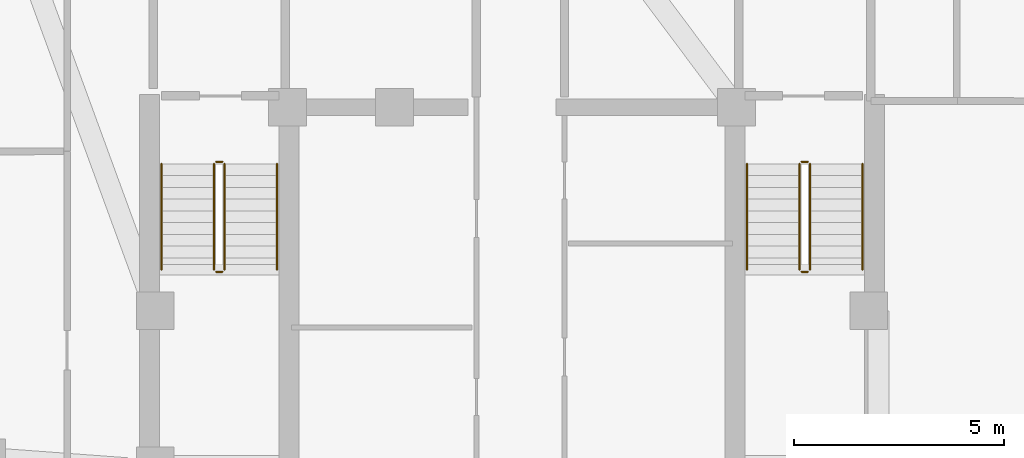
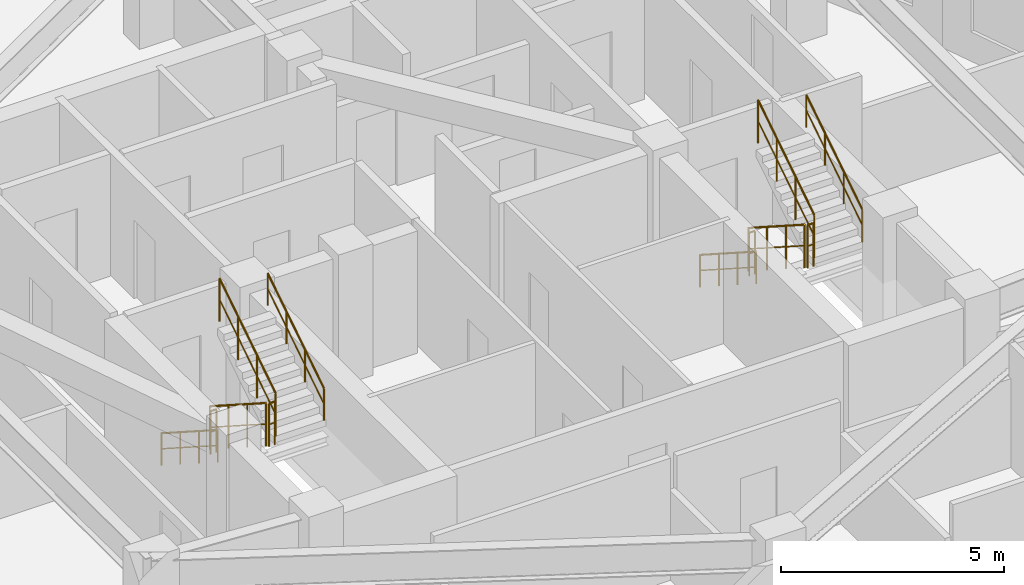
# One storey, part 8 of 8: 12 railings.
"""IFC4 building model written with IfcOpenShell, lengths in metres."""

from ifc_helpers import new_model, si_unit, direction, frame, origin, origin_2d, place, context, subcontext, project, spatial, circle, extrude, material, type_object, element, save


model = new_model("IFC4")

# Units and contexts
model_context = context("Model", 3, precision=1e-05, world=origin(), true_north=direction((0.0, 1.0)))
body_context = subcontext(model_context, "Body", "Model", "MODEL_VIEW")
ifc_project = project(units=[si_unit("LENGTHUNIT", "METRE"), si_unit("AREAUNIT", "SQUARE_METRE"), si_unit("VOLUMEUNIT", "CUBIC_METRE"), si_unit("PLANEANGLEUNIT", "RADIAN"), si_unit("MASSUNIT", "GRAM", prefix="KILO")], contexts=[model_context])

# Site, building, storey
site_placement = place(None, origin())
site = spatial("IfcSite", under=ifc_project, at=site_placement, CompositionType="ELEMENT")
building_placement = place(site_placement, origin())
building = spatial("IfcBuilding", under=site, at=building_placement, Name="Miruveldt Soraemaru", CompositionType="ELEMENT")
storey_placement = place(building_placement, frame((0.0, 0.0, 237.60009765625)))
storey = spatial("IfcBuildingStorey", under=building, at=storey_placement, Name="L65", CompositionType="ELEMENT", Elevation=237.60009765625)

# Railings
ifc_material = material(Name="Steel S355 (355 MPa)", Category="steel")
railing_type_1 = type_object("IfcRailingType", Name="RAIL-HR-900", PredefinedType="HANDRAIL", material=ifc_material)
railing_1_placement = place(storey_placement, frame((35.64990234375, 42.699951171875, 0.179931640625)))
element("IfcRailing", 1, at=railing_1_placement, inside=storey, type_object=railing_type_1, Name="L65 ST-1 stair handrail 1", PredefinedType="HANDRAIL", context=body_context, shape_type="SweptSolid", body=[
    extrude(circle(Radius=0.02392578125, at=origin_2d()), frame((0.0, 0.0, 0.8759765625), z_axis=(0.0, -0.841199657755, 0.540724639528), x_axis=(1.0, 0.0, 0.0)), (0.0, 0.0, 1.0), 2.995849609375),
    extrude(circle(Radius=0.01611328125, at=origin_2d()), frame((0.0, 0.0, 0.449951171875), z_axis=(0.0, -0.841199657755, 0.540724639528), x_axis=(1.0, 0.0, 0.0)), (0.0, 0.0, 1.0), 2.995849609375),
    extrude(circle(Radius=0.02099609375, at=origin_2d()), origin(), (0.0, 0.0, 1.0), 0.851806640625),
    extrude(circle(Radius=0.02099609375, at=origin_2d()), frame((0.0, -0.840087890625, 0.5400390625)), (0.0, 0.0, 1.0), 0.851806640625),
    extrude(circle(Radius=0.02099609375, at=origin_2d()), frame((0.0, -1.679931640625, 1.079833984375)), (0.0, 0.0, 1.0), 0.851806640625),
    extrude(circle(Radius=0.02099609375, at=origin_2d()), frame((0.0, -2.52001953125, 1.619873046875)), (0.0, 0.0, 1.0), 0.851806640625),
])
railing_2_placement = place(storey_placement, frame((38.39990234375, 40.179931640625, 1.97998046875)))
element("IfcRailing", 2, at=railing_2_placement, inside=storey, type_object=railing_type_1, Name="L65 ST-1 stair handrail 2", PredefinedType="HANDRAIL", context=body_context, shape_type="SweptSolid", body=[
    extrude(circle(Radius=0.02392578125, at=origin_2d()), frame((0.0, 0.0, 0.8759765625), z_axis=(0.0, 0.841199657755, 0.540724639528), x_axis=(-1.0, 0.0, 0.0)), (0.0, 0.0, 1.0), 2.995849609375),
    extrude(circle(Radius=0.01611328125, at=origin_2d()), frame((0.0, 0.0, 0.449951171875), z_axis=(0.0, 0.841199657755, 0.540724639528), x_axis=(-1.0, 0.0, 0.0)), (0.0, 0.0, 1.0), 2.995849609375),
    extrude(circle(Radius=0.02099609375, at=origin_2d()), origin(), (0.0, 0.0, 1.0), 0.851806640625),
    extrude(circle(Radius=0.02099609375, at=origin_2d()), frame((0.0, 0.840087890625, 0.5400390625)), (0.0, 0.0, 1.0), 0.851806640625),
    extrude(circle(Radius=0.02099609375, at=origin_2d()), frame((0.0, 1.679931640625, 1.079833984375)), (0.0, 0.0, 1.0), 0.851806640625),
    extrude(circle(Radius=0.02099609375, at=origin_2d()), frame((0.0, 2.52001953125, 1.619873046875)), (0.0, 0.0, 1.0), 0.851806640625),
])
railing_3_placement = place(storey_placement, frame((49.60009765625, 42.699951171875, 0.179931640625)))
element("IfcRailing", 3, at=railing_3_placement, inside=storey, type_object=railing_type_1, Name="L65 ST-2 stair handrail 1", PredefinedType="HANDRAIL", context=body_context, shape_type="SweptSolid", body=[
    extrude(circle(Radius=0.02392578125, at=origin_2d()), frame((0.0, 0.0, 0.8759765625), z_axis=(0.0, -0.841199657755, 0.540724639528), x_axis=(1.0, 0.0, 0.0)), (0.0, 0.0, 1.0), 2.995849609375),
    extrude(circle(Radius=0.01611328125, at=origin_2d()), frame((0.0, 0.0, 0.449951171875), z_axis=(0.0, -0.841199657755, 0.540724639528), x_axis=(1.0, 0.0, 0.0)), (0.0, 0.0, 1.0), 2.995849609375),
    extrude(circle(Radius=0.02099609375, at=origin_2d()), origin(), (0.0, 0.0, 1.0), 0.851806640625),
    extrude(circle(Radius=0.02099609375, at=origin_2d()), frame((0.0, -0.840087890625, 0.5400390625)), (0.0, 0.0, 1.0), 0.851806640625),
    extrude(circle(Radius=0.02099609375, at=origin_2d()), frame((0.0, -1.679931640625, 1.079833984375)), (0.0, 0.0, 1.0), 0.851806640625),
    extrude(circle(Radius=0.02099609375, at=origin_2d()), frame((0.0, -2.52001953125, 1.619873046875)), (0.0, 0.0, 1.0), 0.851806640625),
])
railing_4_placement = place(storey_placement, frame((52.35009765625, 40.179931640625, 1.97998046875)))
element("IfcRailing", 4, at=railing_4_placement, inside=storey, type_object=railing_type_1, Name="L65 ST-2 stair handrail 2", PredefinedType="HANDRAIL", context=body_context, shape_type="SweptSolid", body=[
    extrude(circle(Radius=0.02392578125, at=origin_2d()), frame((0.0, 0.0, 0.8759765625), z_axis=(0.0, 0.841199657755, 0.540724639528), x_axis=(-1.0, 0.0, 0.0)), (0.0, 0.0, 1.0), 2.995849609375),
    extrude(circle(Radius=0.01611328125, at=origin_2d()), frame((0.0, 0.0, 0.449951171875), z_axis=(0.0, 0.841199657755, 0.540724639528), x_axis=(-1.0, 0.0, 0.0)), (0.0, 0.0, 1.0), 2.995849609375),
    extrude(circle(Radius=0.02099609375, at=origin_2d()), origin(), (0.0, 0.0, 1.0), 0.851806640625),
    extrude(circle(Radius=0.02099609375, at=origin_2d()), frame((0.0, 0.840087890625, 0.5400390625)), (0.0, 0.0, 1.0), 0.851806640625),
    extrude(circle(Radius=0.02099609375, at=origin_2d()), frame((0.0, 1.679931640625, 1.079833984375)), (0.0, 0.0, 1.0), 0.851806640625),
    extrude(circle(Radius=0.02099609375, at=origin_2d()), frame((0.0, 2.52001953125, 1.619873046875)), (0.0, 0.0, 1.0), 0.851806640625),
])
railing_type_2 = type_object("IfcRailingType", Name="RAIL-STGUARD-1200", PredefinedType="GUARDRAIL", material=ifc_material)
railing_5_placement = place(storey_placement, frame((36.89990234375, 42.699951171875, 0.179931640625)))
element("IfcRailing", 5, at=railing_5_placement, inside=storey, type_object=railing_type_2, Name="L65 ST-1 stair guard 1", PredefinedType="GUARDRAIL", context=body_context, shape_type="SweptSolid", body=[
    extrude(circle(Radius=0.02392578125, at=origin_2d()), frame((0.0, 0.0, 1.17578125), z_axis=(0.0, -0.841199657755, 0.540724639528), x_axis=(1.0, 0.0, 0.0)), (0.0, 0.0, 1.0), 2.995849609375),
    extrude(circle(Radius=0.01611328125, at=origin_2d()), frame((0.0, 0.0, 0.60009765625), z_axis=(0.0, -0.841199657755, 0.540724639528), x_axis=(1.0, 0.0, 0.0)), (0.0, 0.0, 1.0), 2.995849609375),
    extrude(circle(Radius=0.02099609375, at=origin_2d()), origin(), (0.0, 0.0, 1.0), 1.15185546875),
    extrude(circle(Radius=0.02099609375, at=origin_2d()), frame((0.0, -0.840087890625, 0.5400390625)), (0.0, 0.0, 1.0), 1.15185546875),
    extrude(circle(Radius=0.02099609375, at=origin_2d()), frame((0.0, -1.679931640625, 1.079833984375)), (0.0, 0.0, 1.0), 1.15185546875),
    extrude(circle(Radius=0.02099609375, at=origin_2d()), frame((0.0, -2.52001953125, 1.619873046875)), (0.0, 0.0, 1.0), 1.15185546875),
])
railing_6_placement = place(storey_placement, frame((36.949951171875, 40.1298828125, 1.7998046875)))
element("IfcRailing", 6, at=railing_6_placement, inside=storey, type_object=railing_type_2, Name="L65 ST-1 stair guard 2", PredefinedType="GUARDRAIL", context=body_context, shape_type="SweptSolid", body=[
    extrude(circle(Radius=0.02392578125, at=origin_2d()), frame((0.0, 0.0, 1.17578125), z_axis=(1.0, 0.0, 0.0), x_axis=(0.0, 1.0, 0.0)), (0.0, 0.0, 1.0), 0.150146484375),
    extrude(circle(Radius=0.01611328125, at=origin_2d()), frame((0.0, 0.0, 0.60009765625), z_axis=(1.0, 0.0, 0.0), x_axis=(0.0, 1.0, 0.0)), (0.0, 0.0, 1.0), 0.150146484375),
    extrude(circle(Radius=0.02099609375, at=origin_2d()), origin(), (0.0, 0.0, 1.0), 1.15185546875),
    extrude(circle(Radius=0.02099609375, at=origin_2d()), frame((0.150146484375, 0.0, 0.0)), (0.0, 0.0, 1.0), 1.15185546875),
])
railing_7_placement = place(storey_placement, frame((37.14990234375, 40.179931640625, 1.97998046875)))
element("IfcRailing", 7, at=railing_7_placement, inside=storey, type_object=railing_type_2, Name="L65 ST-1 stair guard 3", PredefinedType="GUARDRAIL", context=body_context, shape_type="SweptSolid", body=[
    extrude(circle(Radius=0.02392578125, at=origin_2d()), frame((0.0, 0.0, 1.17578125), z_axis=(0.0, 0.841199657755, 0.540724639528), x_axis=(-1.0, 0.0, 0.0)), (0.0, 0.0, 1.0), 2.995849609375),
    extrude(circle(Radius=0.01611328125, at=origin_2d()), frame((0.0, 0.0, 0.60009765625), z_axis=(0.0, 0.841199657755, 0.540724639528), x_axis=(-1.0, 0.0, 0.0)), (0.0, 0.0, 1.0), 2.995849609375),
    extrude(circle(Radius=0.02099609375, at=origin_2d()), origin(), (0.0, 0.0, 1.0), 1.15185546875),
    extrude(circle(Radius=0.02099609375, at=origin_2d()), frame((0.0, 0.840087890625, 0.5400390625)), (0.0, 0.0, 1.0), 1.15185546875),
    extrude(circle(Radius=0.02099609375, at=origin_2d()), frame((0.0, 1.679931640625, 1.079833984375)), (0.0, 0.0, 1.0), 1.15185546875),
    extrude(circle(Radius=0.02099609375, at=origin_2d()), frame((0.0, 2.52001953125, 1.619873046875)), (0.0, 0.0, 1.0), 1.15185546875),
])
railing_8_placement = place(storey_placement, frame((36.949951171875, 42.75, 0.0)))
element("IfcRailing", 8, at=railing_8_placement, inside=storey, type_object=railing_type_2, Name="L65 ST-1 stair guard 4", PredefinedType="GUARDRAIL", context=body_context, shape_type="SweptSolid", body=[
    extrude(circle(Radius=0.02392578125, at=origin_2d()), frame((0.0, 0.0, 1.17578125), z_axis=(1.0, 0.0, 0.0), x_axis=(0.0, 1.0, 0.0)), (0.0, 0.0, 1.0), 0.150146484375),
    extrude(circle(Radius=0.01611328125, at=origin_2d()), frame((0.0, 0.0, 0.60009765625), z_axis=(1.0, 0.0, 0.0), x_axis=(0.0, 1.0, 0.0)), (0.0, 0.0, 1.0), 0.150146484375),
    extrude(circle(Radius=0.02099609375, at=origin_2d()), origin(), (0.0, 0.0, 1.0), 1.15185546875),
    extrude(circle(Radius=0.02099609375, at=origin_2d()), frame((0.150146484375, 0.0, 0.0)), (0.0, 0.0, 1.0), 1.15185546875),
])
railing_9_placement = place(storey_placement, frame((50.85009765625, 42.699951171875, 0.179931640625)))
element("IfcRailing", 9, at=railing_9_placement, inside=storey, type_object=railing_type_2, Name="L65 ST-2 stair guard 1", PredefinedType="GUARDRAIL", context=body_context, shape_type="SweptSolid", body=[
    extrude(circle(Radius=0.02392578125, at=origin_2d()), frame((0.0, 0.0, 1.17578125), z_axis=(0.0, -0.841199657755, 0.540724639528), x_axis=(1.0, 0.0, 0.0)), (0.0, 0.0, 1.0), 2.995849609375),
    extrude(circle(Radius=0.01611328125, at=origin_2d()), frame((0.0, 0.0, 0.60009765625), z_axis=(0.0, -0.841199657755, 0.540724639528), x_axis=(1.0, 0.0, 0.0)), (0.0, 0.0, 1.0), 2.995849609375),
    extrude(circle(Radius=0.02099609375, at=origin_2d()), origin(), (0.0, 0.0, 1.0), 1.15185546875),
    extrude(circle(Radius=0.02099609375, at=origin_2d()), frame((0.0, -0.840087890625, 0.5400390625)), (0.0, 0.0, 1.0), 1.15185546875),
    extrude(circle(Radius=0.02099609375, at=origin_2d()), frame((0.0, -1.679931640625, 1.079833984375)), (0.0, 0.0, 1.0), 1.15185546875),
    extrude(circle(Radius=0.02099609375, at=origin_2d()), frame((0.0, -2.52001953125, 1.619873046875)), (0.0, 0.0, 1.0), 1.15185546875),
])
railing_10_placement = place(storey_placement, frame((50.89990234375, 40.1298828125, 1.7998046875)))
element("IfcRailing", 10, at=railing_10_placement, inside=storey, type_object=railing_type_2, Name="L65 ST-2 stair guard 2", PredefinedType="GUARDRAIL", context=body_context, shape_type="SweptSolid", body=[
    extrude(circle(Radius=0.02392578125, at=origin_2d()), frame((0.0, 0.0, 1.17578125), z_axis=(1.0, 0.0, 0.0), x_axis=(0.0, 1.0, 0.0)), (0.0, 0.0, 1.0), 0.150146484375),
    extrude(circle(Radius=0.01611328125, at=origin_2d()), frame((0.0, 0.0, 0.60009765625), z_axis=(1.0, 0.0, 0.0), x_axis=(0.0, 1.0, 0.0)), (0.0, 0.0, 1.0), 0.150146484375),
    extrude(circle(Radius=0.02099609375, at=origin_2d()), origin(), (0.0, 0.0, 1.0), 1.15185546875),
    extrude(circle(Radius=0.02099609375, at=origin_2d()), frame((0.150146484375, 0.0, 0.0)), (0.0, 0.0, 1.0), 1.15185546875),
])
railing_11_placement = place(storey_placement, frame((51.10009765625, 40.179931640625, 1.97998046875)))
element("IfcRailing", 11, at=railing_11_placement, inside=storey, type_object=railing_type_2, Name="L65 ST-2 stair guard 3", PredefinedType="GUARDRAIL", context=body_context, shape_type="SweptSolid", body=[
    extrude(circle(Radius=0.02392578125, at=origin_2d()), frame((0.0, 0.0, 1.17578125), z_axis=(0.0, 0.841199657755, 0.540724639528), x_axis=(-1.0, 0.0, 0.0)), (0.0, 0.0, 1.0), 2.995849609375),
    extrude(circle(Radius=0.01611328125, at=origin_2d()), frame((0.0, 0.0, 0.60009765625), z_axis=(0.0, 0.841199657755, 0.540724639528), x_axis=(-1.0, 0.0, 0.0)), (0.0, 0.0, 1.0), 2.995849609375),
    extrude(circle(Radius=0.02099609375, at=origin_2d()), origin(), (0.0, 0.0, 1.0), 1.15185546875),
    extrude(circle(Radius=0.02099609375, at=origin_2d()), frame((0.0, 0.840087890625, 0.5400390625)), (0.0, 0.0, 1.0), 1.15185546875),
    extrude(circle(Radius=0.02099609375, at=origin_2d()), frame((0.0, 1.679931640625, 1.079833984375)), (0.0, 0.0, 1.0), 1.15185546875),
    extrude(circle(Radius=0.02099609375, at=origin_2d()), frame((0.0, 2.52001953125, 1.619873046875)), (0.0, 0.0, 1.0), 1.15185546875),
])
railing_12_placement = place(storey_placement, frame((50.89990234375, 42.75, 0.0)))
element("IfcRailing", 12, at=railing_12_placement, inside=storey, type_object=railing_type_2, Name="L65 ST-2 stair guard 4", PredefinedType="GUARDRAIL", context=body_context, shape_type="SweptSolid", body=[
    extrude(circle(Radius=0.02392578125, at=origin_2d()), frame((0.0, 0.0, 1.17578125), z_axis=(1.0, 0.0, 0.0), x_axis=(0.0, 1.0, 0.0)), (0.0, 0.0, 1.0), 0.150146484375),
    extrude(circle(Radius=0.01611328125, at=origin_2d()), frame((0.0, 0.0, 0.60009765625), z_axis=(1.0, 0.0, 0.0), x_axis=(0.0, 1.0, 0.0)), (0.0, 0.0, 1.0), 0.150146484375),
    extrude(circle(Radius=0.02099609375, at=origin_2d()), origin(), (0.0, 0.0, 1.0), 1.15185546875),
    extrude(circle(Radius=0.02099609375, at=origin_2d()), frame((0.150146484375, 0.0, 0.0)), (0.0, 0.0, 1.0), 1.15185546875),
])

save(model, "model.ifc")
